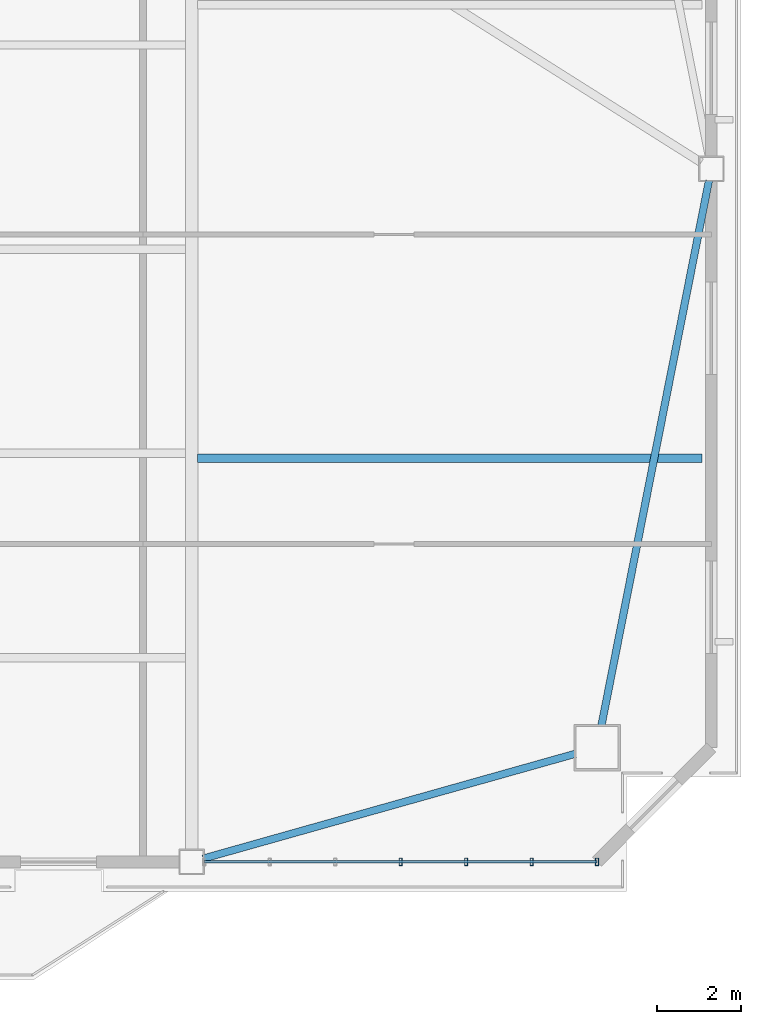
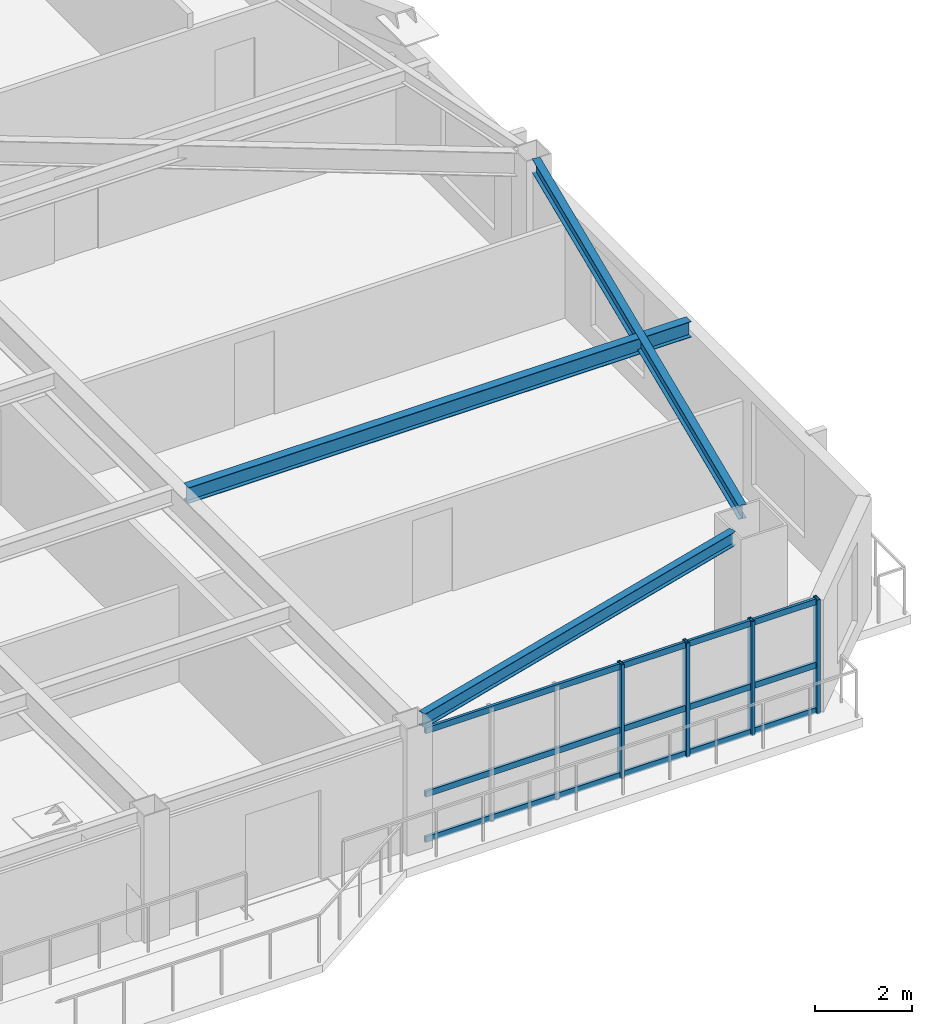
# One storey, part 6 of 16: 7 members, 3 beams, 1 element without a shape of its own.
"""IFC4 building model written with IfcOpenShell, lengths in metres."""

from ifc_helpers import new_model, si_unit, direction, frame, origin, origin_2d, place, context, subcontext, project, spatial, hollow_rectangle, i_section, extrude, source, transform, mapped, material, layer, layer_set, material_profile, profile_set, type_object, element, aggregate, save


model = new_model("IFC4")

# Units and contexts
model_context = context("Model", 3, precision=1e-05, world=origin(), true_north=direction((0.0, 1.0)))
body_context = subcontext(model_context, "Body", "Model", "MODEL_VIEW")
ifc_project = project(units=[si_unit("LENGTHUNIT", "METRE"), si_unit("AREAUNIT", "SQUARE_METRE"), si_unit("VOLUMEUNIT", "CUBIC_METRE"), si_unit("PLANEANGLEUNIT", "RADIAN"), si_unit("MASSUNIT", "GRAM", prefix="KILO")], contexts=[model_context])

# Site, building, storey
site_placement = place(None, origin())
site = spatial("IfcSite", under=ifc_project, at=site_placement, CompositionType="ELEMENT")
building_placement = place(site_placement, origin())
building = spatial("IfcBuilding", under=site, at=building_placement, Name="Giltprow Tower", CompositionType="ELEMENT")
storey_placement = place(building_placement, frame((0.0, 0.0, 227.0)))
storey = spatial("IfcBuildingStorey", under=building, at=storey_placement, Name="L57", CompositionType="ELEMENT", Elevation=227.0)

# Beams
ifc_material_1 = material(Name="Structural steel Q355B", Category="steel")
ifc_material_profile_1 = material_profile(ifc_material_1, i_section(OverallWidth=0.199951171875, OverallDepth=0.39990234375, WebThickness=0.008056640625, FlangeThickness=0.012939453125, at=origin_2d()), Name="HN 400x200x8x13")
ifc_profile_set_1 = profile_set([ifc_material_profile_1], Name="Structural steel Q355B")
beam_type_1 = type_object("IfcBeamType", Name="BM-JOIST-HN400", PredefinedType="JOIST", material=ifc_profile_set_1)
shared_shape_1 = source(origin(), body_context, "Body", "SweptSolid", [
    extrude(i_section(OverallWidth=0.199951171875, OverallDepth=0.39990234375, WebThickness=0.008056640625, FlangeThickness=0.012939453125, at=origin_2d()), origin(), (0.0, 0.0, 1.0), 11.951904296875),
])
beam_1_placement = place(storey_placement, frame((50.695068359375, 22.81591796875, 2.985107421875), z_axis=(1.0, 0.0, 0.0), x_axis=(0.0, 1.0, 0.0)))
element("IfcBeam", 1, at=beam_1_placement, inside=storey, type_object=beam_type_1, Name="L57 East Wing Floor Joist 1", PredefinedType="JOIST", context=body_context, shape_type="MappedRepresentation", body=[
    mapped(shared_shape_1, transform((0.0, 0.0, 0.0), x_axis=(1.0, 0.0, 0.0), y_axis=(0.0, 1.0, 0.0), z_axis=(0.0, 0.0, 1.0), scale=1.0)),
])
ifc_material_profile_2 = material_profile(ifc_material_1, i_section(OverallWidth=0.175048828125, OverallDepth=0.35009765625, WebThickness=0.007080078125, FlangeThickness=0.010986328125, at=origin_2d()), Name="HN 350x175x7x11")
ifc_profile_set_2 = profile_set([ifc_material_profile_2], Name="Structural steel Q355B")
beam_type_2 = type_object("IfcBeamType", Name="BM-SPAN-HN350", PredefinedType="SPANDREL", material=ifc_profile_set_2)
shared_shape_2 = source(origin(), body_context, "Body", "SweptSolid", [
    extrude(i_section(OverallWidth=0.175048828125, OverallDepth=0.35009765625, WebThickness=0.007080078125, FlangeThickness=0.010986328125, at=origin_2d()), origin(), (0.0, 0.0, 1.0), 9.164306640625),
])
beam_2_placement = place(storey_placement, frame((50.823974609375, 13.326904296875, 3.010009765625), z_axis=(0.962531726168, 0.27116909138, 0.0), x_axis=(-0.27116909138, 0.962531726168, 0.0)))
element("IfcBeam", 2, at=beam_2_placement, inside=storey, type_object=beam_type_2, Name="L57 Perimeter Spandrel Beam S4-MC_SE", PredefinedType="SPANDREL", context=body_context, shape_type="MappedRepresentation", body=[
    mapped(shared_shape_2, transform((0.0, 0.0, 0.0), x_axis=(1.0, 0.0, 0.0), y_axis=(0.0, 1.0, 0.0), z_axis=(0.0, 0.0, 1.0), scale=1.0)),
])
shared_shape_3 = source(origin(), body_context, "Body", "SweptSolid", [
    extrude(i_section(OverallWidth=0.175048828125, OverallDepth=0.35009765625, WebThickness=0.007080078125, FlangeThickness=0.010986328125, at=origin_2d()), origin(), (0.0, 0.0, 1.0), 13.162109375),
])
beam_3_placement = place(storey_placement, frame((60.263916015625, 16.48193359375, 3.010009765625), z_axis=(0.193593566524, 0.98108181667, 0.0), x_axis=(-0.98108181667, 0.193593566524, 0.0)))
element("IfcBeam", 3, at=beam_3_placement, inside=storey, type_object=beam_type_2, Name="L57 Perimeter Spandrel Beam MC_SE-E_MID", PredefinedType="SPANDREL", context=body_context, shape_type="MappedRepresentation", body=[
    mapped(shared_shape_3, transform((0.0, 0.0, 0.0), x_axis=(1.0, 0.0, 0.0), y_axis=(0.0, 1.0, 0.0), z_axis=(0.0, 0.0, 1.0), scale=1.0)),
])

# Curtain wall, members
ifc_material_2 = material(Name="Anodized bronze", Category="metal")
ifc_layer = layer(ifc_material_2, 0.179931640625, Name="Anodized bronze")
ifc_layer_set = layer_set([ifc_layer], Name="Anodized bronze")
curtain_wall_type = type_object("IfcCurtainWallType", Name="CW-RES-SKY", PredefinedType="NOTDEFINED", material=ifc_layer_set)
curtain_wall_placement = place(storey_placement, origin())
curtain_wall = element("IfcCurtainWall", 4, at=curtain_wall_placement, inside=storey, type_object=curtain_wall_type, Name="L57 South Recessed Curtain Wall 6", PredefinedType="NOTDEFINED")
ifc_material_profile_3 = material_profile(ifc_material_2, hollow_rectangle(XDim=0.074951171875, YDim=0.179931640625, WallThickness=0.008056640625, at=origin_2d()), Name="RHS 180x75x8")
ifc_profile_set_3 = profile_set([ifc_material_profile_3], Name="Anodized bronze")
member_type_1 = type_object("IfcMemberType", Name="CW-MULLION-180x75", PredefinedType="MULLION", material=ifc_profile_set_3)
shared_shape_4 = source(origin(), body_context, "Body", "SweptSolid", [
    extrude(hollow_rectangle(XDim=0.074951171875, YDim=0.179931640625, WallThickness=0.008056640625, at=origin_2d()), origin(), (0.0, 0.0, 1.0), 2.8701171875),
])
member_1_placement = place(storey_placement, frame((55.5048828125, 13.25, -0.02001953125), z_axis=(0.0, 0.0, 1.0), x_axis=(1.0, 0.0, 0.0)))
member_1 = element("IfcMember", 5, at=member_1_placement, type_object=member_type_1, Name="L57 South Recessed Curtain Wall 6 Mullion 4", PredefinedType="MULLION", context=body_context, shape_type="MappedRepresentation", body=[
    mapped(shared_shape_4, transform((0.0, 0.0, 0.0), x_axis=(1.0, 0.0, 0.0), y_axis=(0.0, 1.0, 0.0), z_axis=(0.0, 0.0, 1.0), scale=1.0)),
])
member_2_placement = place(storey_placement, frame((57.056884765625, 13.25, -0.02001953125), z_axis=(0.0, 0.0, 1.0), x_axis=(1.0, 0.0, 0.0)))
member_2 = element("IfcMember", 6, at=member_2_placement, type_object=member_type_1, Name="L57 South Recessed Curtain Wall 6 Mullion 5", PredefinedType="MULLION", context=body_context, shape_type="MappedRepresentation", body=[
    mapped(shared_shape_4, transform((0.0, 0.0, 0.0), x_axis=(1.0, 0.0, 0.0), y_axis=(0.0, 1.0, 0.0), z_axis=(0.0, 0.0, 1.0), scale=1.0)),
])
member_3_placement = place(storey_placement, frame((58.60791015625, 13.25, -0.02001953125), z_axis=(0.0, 0.0, 1.0), x_axis=(1.0, 0.0, 0.0)))
member_3 = element("IfcMember", 7, at=member_3_placement, type_object=member_type_1, Name="L57 South Recessed Curtain Wall 6 Mullion 6", PredefinedType="MULLION", context=body_context, shape_type="MappedRepresentation", body=[
    mapped(shared_shape_4, transform((0.0, 0.0, 0.0), x_axis=(1.0, 0.0, 0.0), y_axis=(0.0, 1.0, 0.0), z_axis=(0.0, 0.0, 1.0), scale=1.0)),
])
member_4_placement = place(storey_placement, frame((60.159912109375, 13.25, -0.02001953125), z_axis=(0.0, 0.0, 1.0), x_axis=(1.0, 0.0, 0.0)))
member_4 = element("IfcMember", 8, at=member_4_placement, type_object=member_type_1, Name="L57 South Recessed Curtain Wall 6 Mullion 7", PredefinedType="MULLION", context=body_context, shape_type="MappedRepresentation", body=[
    mapped(shared_shape_4, transform((0.0, 0.0, 0.0), x_axis=(1.0, 0.0, 0.0), y_axis=(0.0, 1.0, 0.0), z_axis=(0.0, 0.0, 1.0), scale=1.0)),
])
ifc_material_profile_4 = material_profile(ifc_material_2, hollow_rectangle(XDim=0.06494140625, YDim=0.14990234375, WallThickness=0.006103515625, at=origin_2d()), Name="RHS 150x65x6")
ifc_profile_set_4 = profile_set([ifc_material_profile_4], Name="Anodized bronze")
member_type_2 = type_object("IfcMemberType", Name="CW-TRANSOM-150x65", PredefinedType="USERDEFINED", material=ifc_profile_set_4)
shared_shape_5 = source(origin(), body_context, "Body", "SweptSolid", [
    extrude(hollow_rectangle(XDim=0.06494140625, YDim=0.14990234375, WallThickness=0.006103515625, at=origin_2d()), origin(), (0.0, 0.0, 1.0), 9.309814453125),
])
member_5_placement = place(storey_placement, frame((50.85009765625, 13.25, 0.0400390625), z_axis=(1.0, 0.0, 0.0), x_axis=(0.0, 1.0, 0.0)))
member_5 = element("IfcMember", 9, at=member_5_placement, type_object=member_type_2, Name="L57 South Recessed Curtain Wall 6 Transom 1", ObjectType="TRANSOM", PredefinedType="USERDEFINED", context=body_context, shape_type="MappedRepresentation", body=[
    mapped(shared_shape_5, transform((0.0, 0.0, 0.0), x_axis=(1.0, 0.0, 0.0), y_axis=(0.0, 1.0, 0.0), z_axis=(0.0, 0.0, 1.0), scale=1.0)),
])
member_6_placement = place(storey_placement, frame((50.85009765625, 13.25, 1.181884765625), z_axis=(1.0, 0.0, 0.0), x_axis=(0.0, 1.0, 0.0)))
member_6 = element("IfcMember", 10, at=member_6_placement, type_object=member_type_2, Name="L57 South Recessed Curtain Wall 6 Transom 2", ObjectType="TRANSOM", PredefinedType="USERDEFINED", context=body_context, shape_type="MappedRepresentation", body=[
    mapped(shared_shape_5, transform((0.0, 0.0, 0.0), x_axis=(1.0, 0.0, 0.0), y_axis=(0.0, 1.0, 0.0), z_axis=(0.0, 0.0, 1.0), scale=1.0)),
])
member_7_placement = place(storey_placement, frame((50.85009765625, 13.25, 2.77490234375), z_axis=(1.0, 0.0, 0.0), x_axis=(0.0, 1.0, 0.0)))
member_7 = element("IfcMember", 11, at=member_7_placement, type_object=member_type_2, Name="L57 South Recessed Curtain Wall 6 Transom 3", ObjectType="TRANSOM", PredefinedType="USERDEFINED", context=body_context, shape_type="MappedRepresentation", body=[
    mapped(shared_shape_5, transform((0.0, 0.0, 0.0), x_axis=(1.0, 0.0, 0.0), y_axis=(0.0, 1.0, 0.0), z_axis=(0.0, 0.0, 1.0), scale=1.0)),
])
aggregate(curtain_wall, [member_1, member_2, member_3, member_4, member_5, member_6, member_7])

save(model, "model.ifc")
